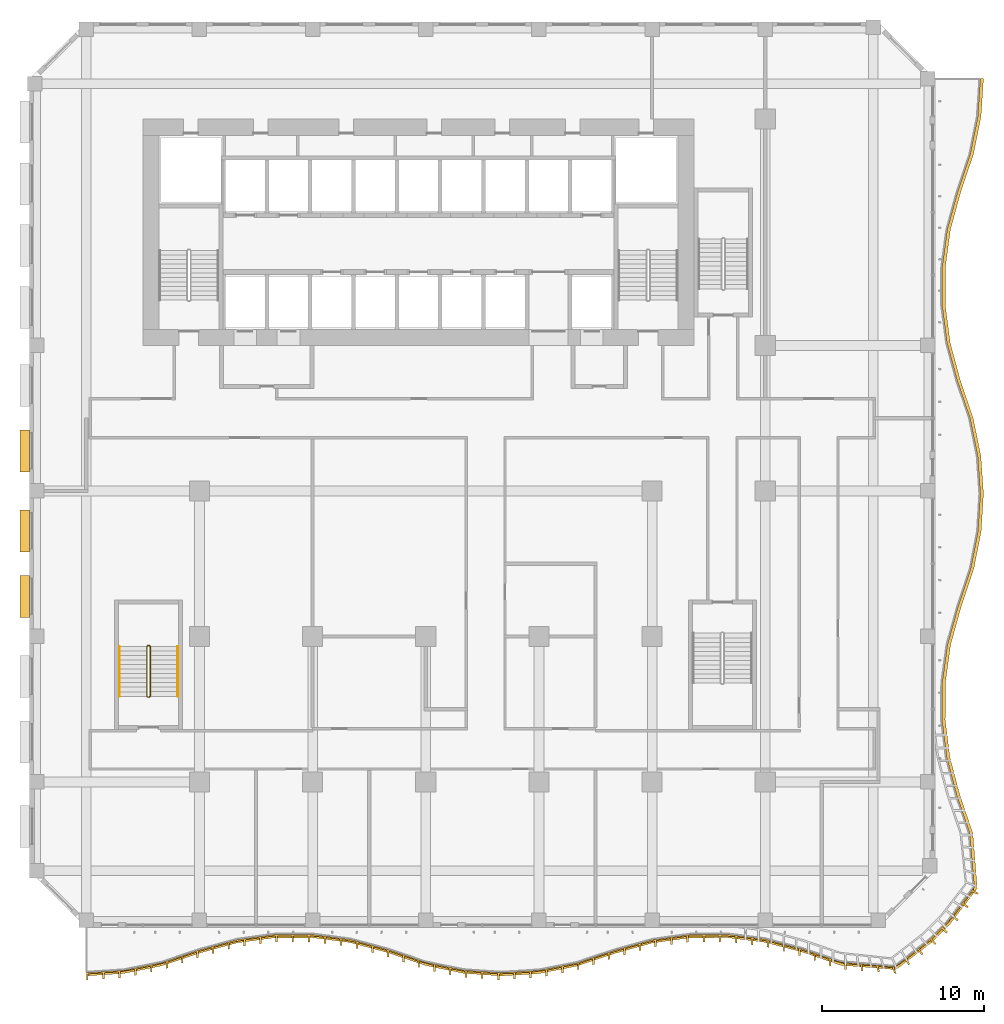
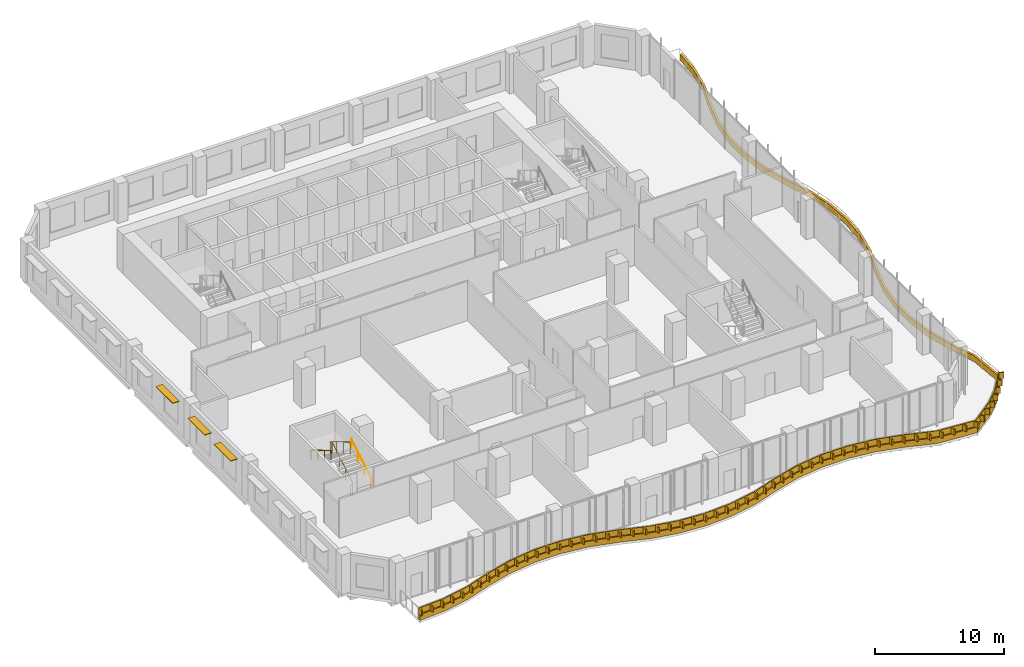
# One storey, part 21 of 26: 5 shading devices, 3 railings.
"""IFC4 building model written with IfcOpenShell, lengths in metres."""

from ifc_helpers import new_model, si_unit, direction, frame, origin, origin_2d, place, context, subcontext, project, spatial, polyline, rectangle, circle, outline, extrude, source, transform, mapped, material, layer, layer_set, type_object, element, save


model = new_model("IFC4")

# Units and contexts
model_context = context("Model", 3, precision=1e-05, world=origin(), true_north=direction((0.0, 1.0)))
body_context = subcontext(model_context, "Body", "Model", "MODEL_VIEW")
ifc_project = project(units=[si_unit("LENGTHUNIT", "METRE"), si_unit("AREAUNIT", "SQUARE_METRE"), si_unit("VOLUMEUNIT", "CUBIC_METRE"), si_unit("PLANEANGLEUNIT", "RADIAN"), si_unit("MASSUNIT", "GRAM", prefix="KILO")], contexts=[model_context])

# Site, building, storey
site_placement = place(None, origin())
site = spatial("IfcSite", under=ifc_project, at=site_placement, CompositionType="ELEMENT")
building_placement = place(site_placement, origin())
building = spatial("IfcBuilding", under=site, at=building_placement, Name="Kilnfold Tower and Market Hall", CompositionType="ELEMENT")
storey_placement = place(building_placement, frame((0.0, 0.0, 83.199951171875)))
storey = spatial("IfcBuildingStorey", under=building, at=storey_placement, Name="L19", CompositionType="ELEMENT", Elevation=83.199951171875)

# Railings
ifc_material_1 = material(Name="Stainless steel 316", Category="steel")
railing_type_1 = type_object("IfcRailingType", Name="CORE STAIR GUARD 1100", PredefinedType="GUARDRAIL", material=ifc_material_1)
railing_1_placement = place(storey_placement, frame((-15.699951171875, -13.75, 0.0)))
element("IfcRailing", 1, at=railing_1_placement, inside=storey, type_object=railing_type_1, Name="L19 ST3 stair guard 1", PredefinedType="GUARDRAIL", context=body_context, shape_type="SweptSolid", body=[
    extrude(circle(Radius=0.02392578125, at=origin_2d()), frame((0.0, 0.0, 1.076171875), z_axis=(1.0, 0.0, 0.0), x_axis=(0.0, 1.0, 0.0)), (0.0, 0.0, 1.0), 0.099853515625),
    extrude(circle(Radius=0.02392578125, at=origin_2d()), frame((0.099853515625, 0.0, 1.076171875), z_axis=(0.27628659633, 0.27628659633, 0.920506074601), x_axis=(-0.707106781187, 0.707106781187, 0.0)), (0.0, 0.0, 1.0), 0.18115234375),
    extrude(circle(Radius=0.02392578125, at=origin_2d()), frame((0.14990234375, 0.050048828125, 1.24267578125), z_axis=(0.0, 0.859290745958, 0.51148745235), x_axis=(-1.0, 0.0, 0.0)), (0.0, 0.0, 1.0), 3.584228515625),
    extrude(circle(Radius=0.02392578125, at=origin_2d()), frame((0.14990234375, 3.1298828125, 3.076171875), z_axis=(-0.707106781187, 0.707106781187, 0.0), x_axis=(-0.707106781187, -0.707106781187, 0.0)), (0.0, 0.0, 1.0), 0.07080078125),
    extrude(circle(Radius=0.02392578125, at=origin_2d()), frame((0.099853515625, 3.179931640625, 3.076171875), z_axis=(-1.0, 0.0, 0.0), x_axis=(0.0, -1.0, 0.0)), (0.0, 0.0, 1.0), 0.099853515625),
    extrude(circle(Radius=0.02392578125, at=origin_2d()), frame((0.0, 3.179931640625, 3.076171875), z_axis=(-0.27628659633, -0.27628659633, 0.920506074601), x_axis=(0.707106781187, -0.707106781187, 0.0)), (0.0, 0.0, 1.0), 0.18115234375),
    extrude(circle(Radius=0.02392578125, at=origin_2d()), frame((-0.050048828125, 3.1298828125, 3.24267578125), z_axis=(0.0, -0.859290745958, 0.51148745235), x_axis=(1.0, 0.0, 0.0)), (0.0, 0.0, 1.0), 3.584228515625),
    extrude(circle(Radius=0.02099609375, at=origin_2d()), origin(), (0.0, 0.0, 1.0), 1.052001953125),
    extrude(circle(Radius=0.02099609375, at=origin_2d()), frame((0.099853515625, 0.0, 0.0)), (0.0, 0.0, 1.0), 1.052001953125),
    extrude(circle(Radius=0.02099609375, at=origin_2d()), frame((0.14990234375, 0.050048828125, 0.166748046875)), (0.0, 0.0, 1.0), 1.052001953125),
    extrude(circle(Radius=0.02099609375, at=origin_2d()), frame((0.14990234375, 1.07666015625, 0.77783203125)), (0.0, 0.0, 1.0), 1.052001953125),
    extrude(circle(Radius=0.02099609375, at=origin_2d()), frame((0.14990234375, 2.103271484375, 1.388916015625)), (0.0, 0.0, 1.0), 1.052001953125),
    extrude(circle(Radius=0.02099609375, at=origin_2d()), frame((0.14990234375, 3.1298828125, 2.0)), (0.0, 0.0, 1.0), 1.052001953125),
    extrude(circle(Radius=0.02099609375, at=origin_2d()), frame((0.099853515625, 3.179931640625, 2.0)), (0.0, 0.0, 1.0), 1.052001953125),
    extrude(circle(Radius=0.02099609375, at=origin_2d()), frame((0.0, 3.179931640625, 2.0)), (0.0, 0.0, 1.0), 1.052001953125),
    extrude(circle(Radius=0.02099609375, at=origin_2d()), frame((-0.050048828125, 3.1298828125, 2.166748046875)), (0.0, 0.0, 1.0), 1.052001953125),
    extrude(circle(Radius=0.02099609375, at=origin_2d()), frame((-0.050048828125, 2.103271484375, 2.77783203125)), (0.0, 0.0, 1.0), 1.052001953125),
    extrude(circle(Radius=0.02099609375, at=origin_2d()), frame((-0.050048828125, 1.07666015625, 3.388916015625)), (0.0, 0.0, 1.0), 1.052001953125),
    extrude(circle(Radius=0.02099609375, at=origin_2d()), frame((-0.050048828125, 0.050048828125, 4.0)), (0.0, 0.0, 1.0), 1.052001953125),
])
ifc_material_2 = material(Name="Stainless steel 316", Category="steel")
railing_type_2 = type_object("IfcRailingType", Name="CORE STAIR HANDRAIL 900", PredefinedType="HANDRAIL", material=ifc_material_2)
railing_2_placement = place(storey_placement, frame((-13.85009765625, -13.699951171875, 0.166748046875)))
element("IfcRailing", 2, at=railing_2_placement, inside=storey, type_object=railing_type_2, Name="L19 ST3 stair handrail 1", PredefinedType="HANDRAIL", context=body_context, shape_type="SweptSolid", body=[
    extrude(circle(Radius=0.02392578125, at=origin_2d()), frame((0.0, 0.0, 0.8759765625), z_axis=(0.0, 0.859290745958, 0.51148745235), x_axis=(-1.0, 0.0, 0.0)), (0.0, 0.0, 1.0), 3.584228515625),
    extrude(circle(Radius=0.02099609375, at=origin_2d()), origin(), (0.0, 0.0, 1.0), 0.851806640625),
    extrude(circle(Radius=0.02099609375, at=origin_2d()), frame((0.0, 1.026611328125, 0.611083984375)), (0.0, 0.0, 1.0), 0.851806640625),
    extrude(circle(Radius=0.02099609375, at=origin_2d()), frame((0.0, 2.05322265625, 1.22216796875)), (0.0, 0.0, 1.0), 0.851806640625),
    extrude(circle(Radius=0.02099609375, at=origin_2d()), frame((0.0, 3.079833984375, 1.833251953125)), (0.0, 0.0, 1.0), 0.851806640625),
])
railing_3_placement = place(storey_placement, frame((-17.449951171875, -10.6201171875, 2.166748046875)))
element("IfcRailing", 3, at=railing_3_placement, inside=storey, type_object=railing_type_2, Name="L19 ST3 stair handrail 2", PredefinedType="HANDRAIL", context=body_context, shape_type="SweptSolid", body=[
    extrude(circle(Radius=0.02392578125, at=origin_2d()), frame((0.0, 0.0, 0.8759765625), z_axis=(0.0, -0.859290745958, 0.51148745235), x_axis=(1.0, 0.0, 0.0)), (0.0, 0.0, 1.0), 3.584228515625),
    extrude(circle(Radius=0.02099609375, at=origin_2d()), origin(), (0.0, 0.0, 1.0), 0.851806640625),
    extrude(circle(Radius=0.02099609375, at=origin_2d()), frame((0.0, -1.026611328125, 0.611083984375)), (0.0, 0.0, 1.0), 0.851806640625),
    extrude(circle(Radius=0.02099609375, at=origin_2d()), frame((0.0, -2.05322265625, 1.22216796875)), (0.0, 0.0, 1.0), 0.851806640625),
    extrude(circle(Radius=0.02099609375, at=origin_2d()), frame((0.0, -3.079833984375, 1.833251953125)), (0.0, 0.0, 1.0), 0.851806640625),
])

# Shading devices
ifc_material_3 = material(Name="Terracotta", Category="masonry")
ifc_layer_1 = layer(ifc_material_3, 0.06005859375)
ifc_layer_set_1 = layer_set([ifc_layer_1], Name="Terracotta")
shading_device_type_1 = type_object("IfcShadingDeviceType", Name="SUNSHADE BLADE 600", PredefinedType="USERDEFINED", material=ifc_layer_set_1)
shared_shape_1 = source(origin(), body_context, "Body", "SweptSolid", [
    extrude(rectangle(XDim=2.60009765625, YDim=0.60009765625, at=origin_2d()), origin(), (0.0, 0.0, 1.0), 0.06005859375),
])
for number, where, z_axis, x_axis, name in (
    (4, (-23.300048828125, 1.47509765625, 3.030029296875), (0.0, 0.0, 1.0), (0.0, -1.0, 0.0), "Sunshade L19 W"),
    (5, (-23.300048828125, -3.47509765625, 3.030029296875), (0.0, 0.0, 1.0), (0.0, -1.0, 0.0), "Sunshade L19 W"),
    (6, (-23.300048828125, -7.52490234375, 3.030029296875), (0.0, 0.0, 1.0), (0.0, -1.0, 0.0), "Sunshade L19 W"),
):
    element("IfcShadingDevice", number, at=place(storey_placement, frame(where, z_axis=z_axis, x_axis=x_axis)), inside=storey, type_object=shading_device_type_1, Name=name, ObjectType="SUNSHADE", PredefinedType="USERDEFINED", context=body_context, shape_type="MappedRepresentation", body=[
        mapped(shared_shape_1, transform((0.0, 0.0, 0.0))),
    ])
ifc_material_4 = material(Name="Precast concrete C50/60", Category="concrete")
ifc_layer_2 = layer(ifc_material_4, 0.550048828125)
ifc_layer_set_2 = layer_set([ifc_layer_2], Name="Precast concrete C50/60")
shading_device_type_2 = type_object("IfcShadingDeviceType", Name="BALCONY UPSTAND 550", PredefinedType="USERDEFINED", material=ifc_layer_set_2)
shared_shape_2 = source(origin(), body_context, "Body", "SweptSolid", [
    extrude(outline(polyline([(-19.5, -31.0), (-17.166748046875, -30.8466796875), (-14.833251953125, -30.379150390625), (-12.5, -29.59228515625), (-10.166748046875, -28.95361328125), (-7.833251953125, -28.640380859375), (-5.5, -28.635986328125), (-3.166748046875, -28.939453125), (-0.833251953125, -29.56787109375), (1.5, -30.35986328125), (3.833251953125, -30.83740234375), (6.166748046875, -31.0), (8.5, -30.85595703125), (10.833251953125, -30.398193359375), (13.166748046875, -29.6171875), (15.5, -28.968017578125), (17.833251953125, -28.6455078125), (20.166748046875, -28.631591796875), (22.5, -28.925537109375), (24.833251953125, -29.543701171875), (27.166748046875, -30.340087890625), (30.58203125, -30.6123046875), (32.7744140625, -28.941162109375), (33.941162109375, -27.7744140625), (35.6123046875, -25.58203125), (35.340087890625, -22.166748046875), (34.543701171875, -19.833251953125), (33.925537109375, -17.5), (33.631591796875, -15.166748046875), (33.6455078125, -12.833251953125), (33.968017578125, -10.5), (34.6171875, -8.166748046875), (35.398193359375, -5.833251953125), (35.85595703125, -3.5), (36.0, -1.166748046875), (35.83740234375, 1.166748046875), (35.35986328125, 3.5), (34.56787109375, 5.833251953125), (33.939453125, 8.166748046875), (33.635986328125, 10.5), (33.640380859375, 12.833251953125), (33.95361328125, 15.166748046875), (34.59228515625, 17.5), (35.379150390625, 19.833251953125), (35.8466796875, 22.166748046875), (36.0, 24.5), (35.800048828125, 24.5), (35.646728515625, 22.166748046875), (35.17919921875, 19.833251953125), (34.392333984375, 17.5), (33.753662109375, 15.166748046875), (33.4404296875, 12.833251953125), (33.435791015625, 10.5), (33.739501953125, 8.166748046875), (34.367919921875, 5.833251953125), (35.159912109375, 3.5), (35.637451171875, 1.166748046875), (35.7998046875, -1.166748046875), (35.656005859375, -3.5), (35.1982421875, -5.833251953125), (34.4169921875, -8.166748046875), (33.76806640625, -10.5), (33.4453125, -12.833251953125), (33.431396484375, -15.166748046875), (33.7255859375, -17.5), (34.34375, -19.833251953125), (35.14013671875, -22.166748046875), (35.427490234375, -25.505615234375), (33.7998046875, -27.633056640625), (32.633056640625, -28.7998046875), (30.505615234375, -30.427490234375), (27.166748046875, -30.14013671875), (24.833251953125, -29.34375), (22.5, -28.7255859375), (20.166748046875, -28.431396484375), (17.833251953125, -28.4453125), (15.5, -28.76806640625), (13.166748046875, -29.4169921875), (10.833251953125, -30.1982421875), (8.5, -30.656005859375), (6.166748046875, -30.7998046875), (3.833251953125, -30.637451171875), (1.5, -30.159912109375), (-0.833251953125, -29.367919921875), (-3.166748046875, -28.739501953125), (-5.5, -28.435791015625), (-7.833251953125, -28.4404296875), (-10.166748046875, -28.753662109375), (-12.5, -29.392333984375), (-14.833251953125, -30.17919921875), (-17.166748046875, -30.646728515625), (-19.5, -30.800048828125), (-19.5, -31.0)])), origin(), (0.0, 0.0, 1.0), 0.550048828125),
])
shading_device_1_placement = place(storey_placement, origin())
element("IfcShadingDevice", 7, at=shading_device_1_placement, inside=storey, type_object=shading_device_type_2, Name="Balcony fascia L19", ObjectType="FASCIA", PredefinedType="USERDEFINED", context=body_context, shape_type="MappedRepresentation", body=[
    mapped(shared_shape_2, transform((0.0, 0.0, 0.0))),
])
ifc_material_5 = material(Name="Bronze anodised aluminium", Category="aluminium")
ifc_layer_3 = layer(ifc_material_5, 0.550048828125)
ifc_layer_set_3 = layer_set([ifc_layer_3], Name="Bronze anodised aluminium")
shading_device_type_3 = type_object("IfcShadingDeviceType", Name="BRONZE SLAT FASCIA 550", PredefinedType="USERDEFINED", material=ifc_layer_set_3)
shared_shape_3 = source(origin(), body_context, "Body", "SweptSolid", [
    extrude(outline(polyline([(-19.5, -31.25), (-19.5, -30.800048828125), (-17.166748046875, -30.646728515625), (-14.833251953125, -30.17919921875), (-12.5, -29.392333984375), (-10.166748046875, -28.753662109375), (-7.833251953125, -28.4404296875), (-5.5, -28.435791015625), (-3.166748046875, -28.739501953125), (-0.833251953125, -29.367919921875), (1.5, -30.159912109375), (3.833251953125, -30.637451171875), (6.166748046875, -30.7998046875), (8.5, -30.656005859375), (10.833251953125, -30.1982421875), (13.166748046875, -29.4169921875), (15.5, -28.76806640625), (17.833251953125, -28.4453125), (20.166748046875, -28.431396484375), (22.5, -28.7255859375), (24.833251953125, -29.34375), (27.166748046875, -30.14013671875), (30.505615234375, -30.427490234375), (32.633056640625, -28.7998046875), (33.7998046875, -27.633056640625), (35.378662109375, -25.569580078125), (35.364013671875, -25.715087890625), (35.699951171875, -25.866943359375), (35.624755859375, -25.9658203125), (35.2919921875, -25.80859375), (34.765869140625, -26.4951171875), (35.073974609375, -26.691650390625), (34.998779296875, -26.79052734375), (34.6943359375, -26.5888671875), (34.169921875, -27.276611328125), (34.447998046875, -27.516357421875), (34.372802734375, -27.615234375), (34.0986328125, -27.37060546875), (33.522216796875, -28.023681640625), (33.78369140625, -28.285400390625), (33.698974609375, -28.370361328125), (33.437255859375, -28.108642578125), (32.81494140625, -28.73095703125), (33.07666015625, -28.992431640625), (32.99169921875, -29.077392578125), (32.72998046875, -28.815673828125), (32.0458984375, -29.345703125), (32.272705078125, -29.6328125), (32.173828125, -29.7080078125), (31.951904296875, -29.417236328125), (31.264892578125, -29.9423828125), (31.447998046875, -30.2587890625), (31.34912109375, -30.333984375), (31.171142578125, -30.013916015625), (30.47119140625, -30.49609375), (30.610107421875, -30.83837890625), (30.4873046875, -30.82958984375), (30.35302734375, -30.48583984375), (29.4873046875, -30.412109375), (29.58544921875, -30.7646484375), (29.46240234375, -30.755859375), (29.369384765625, -30.402099609375), (28.504150390625, -30.32958984375), (28.560791015625, -30.690673828125), (28.437744140625, -30.681884765625), (28.385986328125, -30.31982421875), (27.52099609375, -30.248779296875), (27.535888671875, -30.61669921875), (27.412841796875, -30.60791015625), (27.403076171875, -30.2392578125), (26.561279296875, -30.013427734375), (26.561279296875, -30.383544921875), (26.44775390625, -30.3447265625), (26.44775390625, -29.974853515625), (25.614990234375, -29.6904296875), (25.614990234375, -30.060546875), (25.501220703125, -30.021728515625), (25.501220703125, -29.651611328125), (24.6650390625, -29.379150390625), (24.6650390625, -29.7490234375), (24.549072265625, -29.718505859375), (24.549072265625, -29.348388671875), (23.6982421875, -29.123046875), (23.6982421875, -29.492919921875), (23.582275390625, -29.46240234375), (23.582275390625, -29.09228515625), (22.731689453125, -28.866943359375), (22.731689453125, -29.237060546875), (22.61572265625, -29.206298828125), (22.61572265625, -28.836181640625), (21.74560546875, -28.71044921875), (21.74560546875, -29.08056640625), (21.626708984375, -29.0654296875), (21.626708984375, -28.695556640625), (20.75341796875, -28.58544921875), (20.75341796875, -28.95556640625), (20.634521484375, -28.9404296875), (20.634521484375, -28.570556640625), (19.758056640625, -28.513916015625), (19.758056640625, -28.8837890625), (19.63818359375, -28.884521484375), (19.63818359375, -28.5146484375), (18.75830078125, -28.52001953125), (18.75830078125, -28.889892578125), (18.63818359375, -28.890625), (18.63818359375, -28.5205078125), (17.7587890625, -28.53564453125), (17.7587890625, -28.90576171875), (17.639892578125, -28.922119140625), (17.639892578125, -28.552001953125), (16.768310546875, -28.672607421875), (16.768310546875, -29.042724609375), (16.6494140625, -29.05908203125), (16.6494140625, -28.689208984375), (15.777587890625, -28.809814453125), (15.777587890625, -29.1796875), (15.658935546875, -29.196044921875), (15.658935546875, -28.826171875), (14.806640625, -29.041015625), (14.806640625, -29.410888671875), (14.691162109375, -29.443115234375), (14.691162109375, -29.072998046875), (13.84326171875, -29.308837890625), (13.84326171875, -29.678955078125), (13.727783203125, -29.711181640625), (13.727783203125, -29.341064453125), (12.884521484375, -29.591552734375), (12.884521484375, -29.961669921875), (12.7705078125, -29.999755859375), (12.7705078125, -29.629638671875), (11.93603515625, -29.908935546875), (11.93603515625, -30.279052734375), (11.822265625, -30.317138671875), (11.822265625, -29.947021484375), (10.98779296875, -30.2265625), (10.98779296875, -30.596435546875), (10.8740234375, -30.634521484375), (10.8740234375, -30.2646484375), (10.011962890625, -30.439453125), (10.011962890625, -30.809326171875), (9.89404296875, -30.83251953125), (9.89404296875, -30.46240234375), (9.030517578125, -30.6318359375), (9.030517578125, -31.001953125), (8.912841796875, -31.02490234375), (8.912841796875, -30.655029296875), (8.04150390625, -30.764404296875), (8.04150390625, -31.13427734375), (7.921875, -31.1416015625), (7.921875, -30.771728515625), (7.04345703125, -30.82568359375), (7.04345703125, -31.19580078125), (6.923583984375, -31.203125), (6.923583984375, -30.833251953125), (6.04541015625, -30.87158203125), (6.04541015625, -31.241455078125), (5.92578125, -31.233154296875), (5.92578125, -30.863037109375), (5.0478515625, -30.802001953125), (5.0478515625, -31.172119140625), (4.927978515625, -31.16357421875), (4.927978515625, -30.793701171875), (4.05029296875, -30.732421875), (4.05029296875, -31.1025390625), (3.9306640625, -31.09423828125), (3.9306640625, -30.72412109375), (3.066650390625, -30.560546875), (3.066650390625, -30.930419921875), (2.94921875, -30.906494140625), (2.94921875, -30.53662109375), (2.0869140625, -30.360107421875), (2.0869140625, -30.72998046875), (1.969482421875, -30.7060546875), (1.969482421875, -30.3359375), (1.120361328125, -30.111083984375), (1.120361328125, -30.48095703125), (1.0068359375, -30.4423828125), (1.0068359375, -30.072509765625), (0.173583984375, -29.78955078125), (0.173583984375, -30.15966796875), (0.059814453125, -30.12109375), (0.059814453125, -29.7509765625), (-0.7734375, -29.468017578125), (-0.7734375, -29.838134765625), (-0.88818359375, -29.802978515625), (-0.88818359375, -29.43310546875), (-1.73779296875, -29.2041015625), (-1.73779296875, -29.57421875), (-1.853759765625, -29.54296875), (-1.853759765625, -29.173095703125), (-2.70361328125, -28.944091796875), (-2.70361328125, -29.314208984375), (-2.8193359375, -29.282958984375), (-2.8193359375, -28.9130859375), (-3.6826171875, -28.75244140625), (-3.6826171875, -29.122314453125), (-3.801513671875, -29.10693359375), (-3.801513671875, -28.73681640625), (-4.67431640625, -28.623291015625), (-4.67431640625, -28.993408203125), (-4.793212890625, -28.977783203125), (-4.793212890625, -28.60791015625), (-5.667236328125, -28.51611328125), (-5.667236328125, -28.88623046875), (-5.787353515625, -28.886474609375), (-5.787353515625, -28.5166015625), (-6.667236328125, -28.518310546875), (-6.667236328125, -28.88818359375), (-6.787353515625, -28.888427734375), (-6.787353515625, -28.518310546875), (-7.667236328125, -28.520263671875), (-7.667236328125, -28.89013671875), (-7.787353515625, -28.890380859375), (-7.787353515625, -28.5205078125), (-8.659912109375, -28.63134765625), (-8.659912109375, -29.00146484375), (-8.77880859375, -29.017333984375), (-8.77880859375, -28.6474609375), (-9.65087890625, -28.764404296875), (-9.65087890625, -29.134521484375), (-9.77001953125, -29.150390625), (-9.77001953125, -28.780517578125), (-10.62939453125, -28.960205078125), (-10.62939453125, -29.330078125), (-10.7451171875, -29.36181640625), (-10.7451171875, -28.991943359375), (-11.593994140625, -29.224365234375), (-11.593994140625, -29.59423828125), (-11.709716796875, -29.6259765625), (-11.709716796875, -29.255859375), (-12.557373046875, -29.49169921875), (-12.557373046875, -29.861572265625), (-12.671142578125, -29.89990234375), (-12.671142578125, -29.530029296875), (-13.5048828125, -29.811279296875), (-13.5048828125, -30.18115234375), (-13.61865234375, -30.219482421875), (-13.61865234375, -29.849609375), (-14.452392578125, -30.130859375), (-14.452392578125, -30.500732421875), (-14.566162109375, -30.5390625), (-14.566162109375, -30.169189453125), (-15.419921875, -30.376708984375), (-15.419921875, -30.74658203125), (-15.537353515625, -30.770263671875), (-15.537353515625, -30.400390625), (-16.400390625, -30.5732421875), (-16.400390625, -30.943115234375), (-16.517822265625, -30.966796875), (-16.517822265625, -30.5966796875), (-17.384521484375, -30.7412109375), (-17.384521484375, -31.111083984375), (-17.50439453125, -31.118896484375), (-17.50439453125, -30.7490234375), (-18.38232421875, -30.806640625), (-18.38232421875, -31.176513671875), (-18.502197265625, -31.1845703125), (-18.502197265625, -30.814453125), (-19.38037109375, -30.8720703125), (-19.38037109375, -31.2421875), (-19.5, -31.25)])), origin(), (0.0, 0.0, 1.0), 0.550048828125),
])
shading_device_2_placement = place(storey_placement, frame((0.0, 0.0, 0.550048828125)))
element("IfcShadingDevice", 8, at=shading_device_2_placement, inside=storey, type_object=shading_device_type_3, Name="Balcony slat fascia L19", ObjectType="SLAT", PredefinedType="USERDEFINED", context=body_context, shape_type="MappedRepresentation", body=[
    mapped(shared_shape_3, transform((0.0, 0.0, 0.0))),
])

save(model, "model.ifc")
